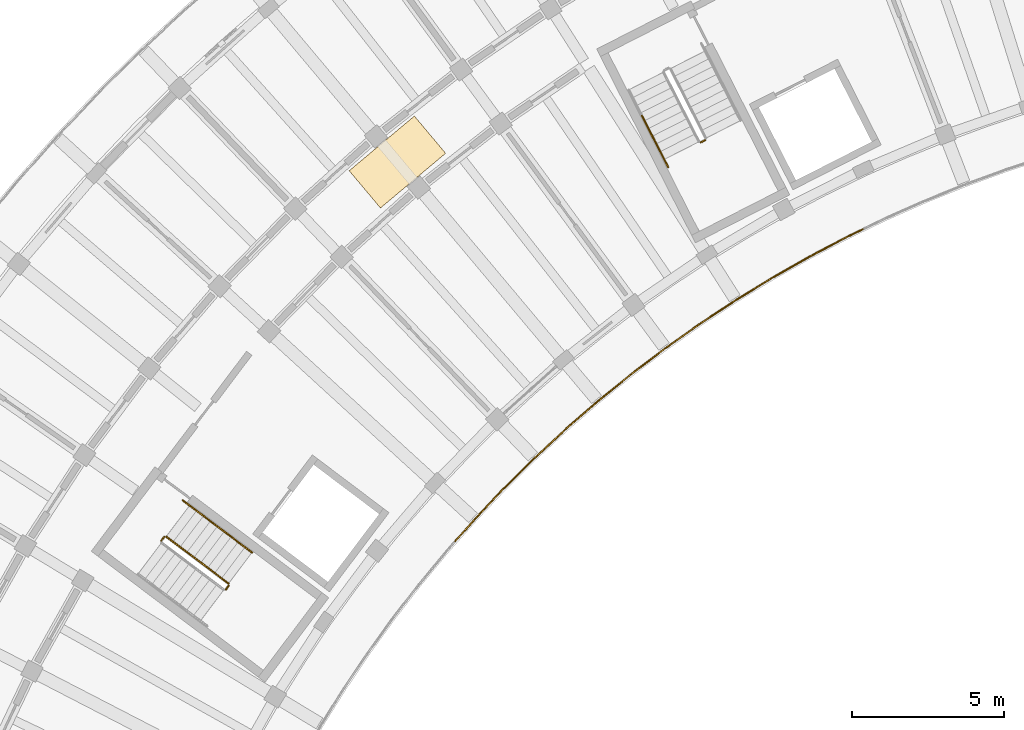
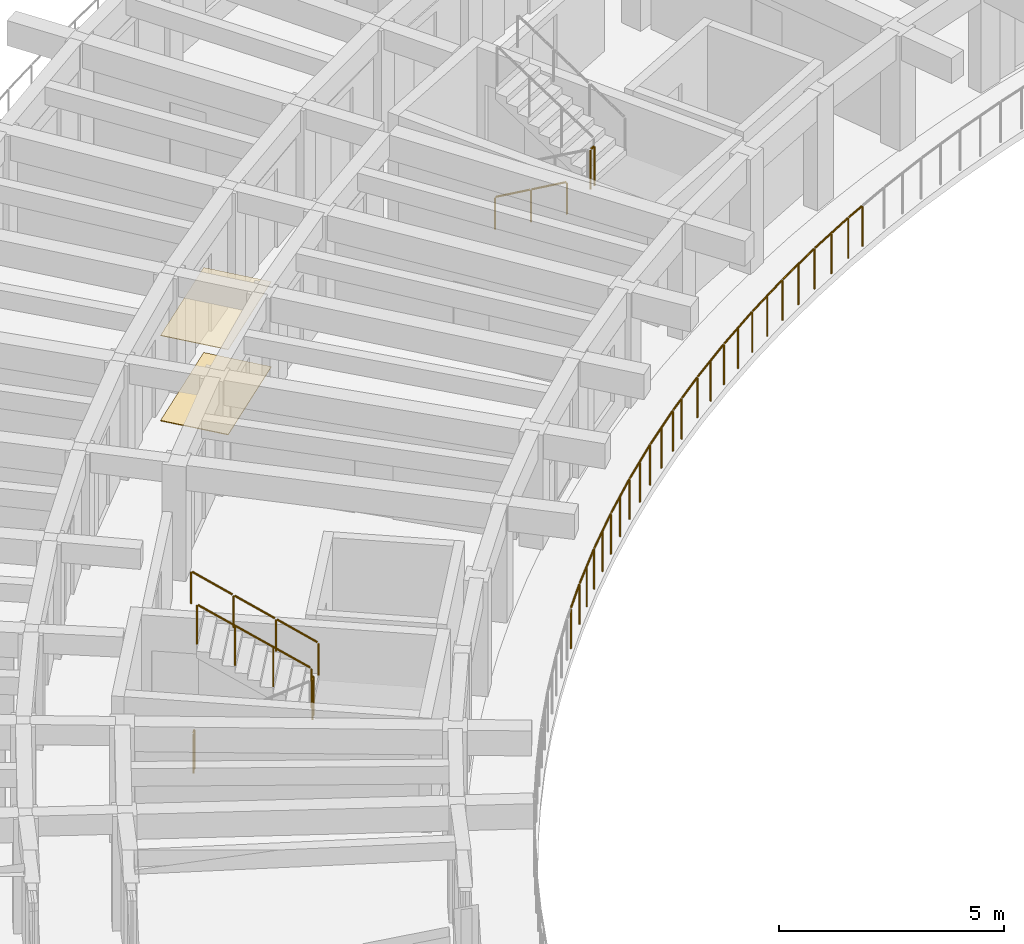
# One storey, part 67 of 78: 11 railings, 2 coverings.
"""IFC4 building model written with IfcOpenShell, lengths in metres."""

from ifc_helpers import new_model, si_unit, direction, frame, origin, origin_2d, place, context, subcontext, project, spatial, rectangle, circle, extrude, material, layer, layer_set, type_object, element, save


model = new_model("IFC4")

# Units and contexts
model_context = context("Model", 3, precision=1e-05, world=origin(), true_north=direction((0.0, 1.0)))
body_context = subcontext(model_context, "Body", "Model", "MODEL_VIEW")
ifc_project = project(units=[si_unit("LENGTHUNIT", "METRE"), si_unit("AREAUNIT", "SQUARE_METRE"), si_unit("VOLUMEUNIT", "CUBIC_METRE"), si_unit("PLANEANGLEUNIT", "RADIAN"), si_unit("MASSUNIT", "GRAM", prefix="KILO")], contexts=[model_context])

# Site, building, storey
site_placement = place(None, origin())
site = spatial("IfcSite", under=ifc_project, at=site_placement, CompositionType="ELEMENT")
building_placement = place(site_placement, origin())
building = spatial("IfcBuilding", under=site, at=building_placement, Name="Tanwirah Colonnade Gardens", CompositionType="ELEMENT")
storey_placement = place(building_placement, frame((0.0, 0.0, 22.280029296875)))
storey = spatial("IfcBuildingStorey", under=building, at=storey_placement, Name="L06", CompositionType="ELEMENT", Elevation=22.280029296875)

# Railings
ifc_material_1 = material(Name="Precast concrete C40/50", Category="concrete")
railing_type_1 = type_object("IfcRailingType", Name="BAL-EXT112", PredefinedType="BALUSTRADE", material=ifc_material_1)
railing_1_placement = place(storey_placement, frame((46.27880859375, 98.548583984375, 0.0)))
element("IfcRailing", 1, at=railing_1_placement, inside=storey, type_object=railing_type_1, Name="Block A L06 Balcony Ribbon Balustrade 3", PredefinedType="BALUSTRADE", context=body_context, shape_type="SweptSolid", body=[
    extrude(circle(Radius=0.02392578125, at=origin_2d()), frame((-0.028076171875, -0.013671875, 1.09619140625), z_axis=(-0.900252558568, -0.435368040619, 0.0), x_axis=(0.435368040619, -0.900252558568, 0.0)), (0.0, 0.0, 1.0), 0.5),
    extrude(circle(Radius=0.02392578125, at=origin_2d()), frame((-0.5361328125, -0.2607421875, 1.09619140625), z_axis=(-0.885204649416, -0.465201814972, 0.0), x_axis=(0.465201814972, -0.885204649416, 0.0)), (0.0, 0.0, 1.0), 1.341796875),
    extrude(circle(Radius=0.02392578125, at=origin_2d()), frame((-1.78125, -0.916015625, 1.09619140625), z_axis=(-0.869342839865, -0.494209496848, 0.0), x_axis=(0.494209496848, -0.869342839865, 0.0)), (0.0, 0.0, 1.0), 1.342041015625),
    extrude(circle(Radius=0.02392578125, at=origin_2d()), frame((-3.00390625, -1.6123046875, 1.09619140625), z_axis=(-0.852623736113, -0.522525372223, 0.0), x_axis=(0.522525372223, -0.852623736113, 0.0)), (0.0, 0.0, 1.0), 1.342041015625),
    extrude(circle(Radius=0.02392578125, at=origin_2d()), frame((-4.203125, -2.34814453125, 1.09619140625), z_axis=(-0.834927342507, -0.550360184547, 0.0), x_axis=(0.550360184547, -0.834927342507, 0.0)), (0.0, 0.0, 1.0), 1.341796875),
    extrude(circle(Radius=0.02392578125, at=origin_2d()), frame((-5.37744140625, -3.12353515625, 1.09619140625), z_axis=(-0.816321661452, -0.577597563226, 0.0), x_axis=(0.577597563226, -0.816321661452, 0.0)), (0.0, 0.0, 1.0), 1.341552734375),
    extrude(circle(Radius=0.02392578125, at=origin_2d()), frame((-6.525146484375, -3.936767578125, 1.09619140625), z_axis=(-0.796799330669, -0.604244012502, 0.0), x_axis=(0.604244012502, -0.796799330669, 0.0)), (0.0, 0.0, 1.0), 0.837646484375),
    extrude(circle(Radius=0.02099609375, at=origin_2d()), origin(), (0.0, 0.0, 1.0), 1.069091796875),
    extrude(circle(Radius=0.02099609375, at=origin_2d()), frame((-0.50634765625, -0.244873046875, 0.0)), (0.0, 0.0, 1.0), 1.069091796875),
    extrude(circle(Radius=0.02099609375, at=origin_2d()), frame((-1.130126953125, -0.57275390625, 0.0)), (0.0, 0.0, 1.0), 1.069091796875),
    extrude(circle(Radius=0.02099609375, at=origin_2d()), frame((-1.751708984375, -0.8994140625, 0.0)), (0.0, 0.0, 1.0), 1.069091796875),
    extrude(circle(Radius=0.02099609375, at=origin_2d()), frame((-2.36474609375, -1.24755859375, 0.0)), (0.0, 0.0, 1.0), 1.069091796875),
    extrude(circle(Radius=0.02099609375, at=origin_2d()), frame((-2.97509765625, -1.5947265625, 0.0)), (0.0, 0.0, 1.0), 1.069091796875),
    extrude(circle(Radius=0.02099609375, at=origin_2d()), frame((-3.576171875, -1.962890625, 0.0)), (0.0, 0.0, 1.0), 1.069091796875),
    extrude(circle(Radius=0.02099609375, at=origin_2d()), frame((-4.1748046875, -2.329833984375, 0.0)), (0.0, 0.0, 1.0), 1.069091796875),
    extrude(circle(Radius=0.02099609375, at=origin_2d()), frame((-4.76318359375, -2.717529296875, 0.0)), (0.0, 0.0, 1.0), 1.069091796875),
    extrude(circle(Radius=0.02099609375, at=origin_2d()), frame((-5.349609375, -3.10400390625, 0.0)), (0.0, 0.0, 1.0), 1.069091796875),
    extrude(circle(Radius=0.02099609375, at=origin_2d()), frame((-5.9248046875, -3.510986328125, 0.0)), (0.0, 0.0, 1.0), 1.069091796875),
    extrude(circle(Radius=0.02099609375, at=origin_2d()), frame((-6.498046875, -3.91650390625, 0.0)), (0.0, 0.0, 1.0), 1.069091796875),
    extrude(circle(Radius=0.02099609375, at=origin_2d()), frame((-7.217529296875, -4.4619140625, 0.0)), (0.0, 0.0, 1.0), 1.069091796875),
])
railing_2_placement = place(storey_placement, frame((39.061279296875, 94.086669921875, 0.0)))
element("IfcRailing", 2, at=railing_2_placement, inside=storey, type_object=railing_type_1, Name="Block A L06 Balcony Ribbon Balustrade 4", PredefinedType="BALUSTRADE", context=body_context, shape_type="SweptSolid", body=[
    extrude(circle(Radius=0.02392578125, at=origin_2d()), frame((-0.02490234375, -0.018798828125, 1.09619140625), z_axis=(-0.796852005176, -0.604174545845, 0.0), x_axis=(0.604174545845, -0.796852005176, 0.0)), (0.0, 0.0, 1.0), 0.44189453125),
    extrude(circle(Radius=0.02392578125, at=origin_2d()), frame((-0.427978515625, -0.325927734375, 1.09619140625), z_axis=(-0.776491375378, -0.630127879056, 0.0), x_axis=(0.630127879056, -0.776491375378, 0.0)), (0.0, 0.0, 1.0), 1.342041015625),
    extrude(circle(Radius=0.02392578125, at=origin_2d()), frame((-1.52001953125, -1.21337890625, 1.09619140625), z_axis=(-0.755402192857, -0.655261418845, 0.0), x_axis=(0.655261418845, -0.755402192857, 0.0)), (0.0, 0.0, 1.0), 1.341796875),
    extrude(circle(Radius=0.02392578125, at=origin_2d()), frame((-2.58203125, -2.135986328125, 1.09619140625), z_axis=(-0.73336899588, -0.679830799451, 0.0), x_axis=(0.679830799451, -0.73336899588, 0.0)), (0.0, 0.0, 1.0), 1.342041015625),
    extrude(circle(Radius=0.02392578125, at=origin_2d()), frame((-3.61328125, -3.09326171875, 1.09619140625), z_axis=(-0.710488556831, -0.703708754111, 0.0), x_axis=(0.703708754111, -0.710488556831, 0.0)), (0.0, 0.0, 1.0), 1.341796875),
    extrude(circle(Radius=0.02392578125, at=origin_2d()), frame((-4.612060546875, -4.084228515625, 1.09619140625), z_axis=(-0.687011382404, -0.726646654466, 0.0), x_axis=(0.726646654466, -0.687011382404, 0.0)), (0.0, 0.0, 1.0), 1.341796875),
    extrude(circle(Radius=0.02392578125, at=origin_2d()), frame((-5.577880859375, -5.107421875, 1.09619140625), z_axis=(-0.662590378068, -0.74898196967, 0.0), x_axis=(0.74898196967, -0.662590378068, 0.0)), (0.0, 0.0, 1.0), 0.8955078125),
    extrude(circle(Radius=0.02099609375, at=origin_2d()), origin(), (0.0, 0.0, 1.0), 1.069091796875),
    extrude(circle(Radius=0.02099609375, at=origin_2d()), frame((-0.40185546875, -0.3046875, 0.0)), (0.0, 0.0, 1.0), 1.069091796875),
    extrude(circle(Radius=0.02099609375, at=origin_2d()), frame((-0.94921875, -0.74853515625, 0.0)), (0.0, 0.0, 1.0), 1.069091796875),
    extrude(circle(Radius=0.02099609375, at=origin_2d()), frame((-1.494384765625, -1.191162109375, 0.0)), (0.0, 0.0, 1.0), 1.069091796875),
    extrude(circle(Radius=0.02099609375, at=origin_2d()), frame((-2.02685546875, -1.65283203125, 0.0)), (0.0, 0.0, 1.0), 1.069091796875),
    extrude(circle(Radius=0.02099609375, at=origin_2d()), frame((-2.55712890625, -2.113037109375, 0.0)), (0.0, 0.0, 1.0), 1.069091796875),
    extrude(circle(Radius=0.02099609375, at=origin_2d()), frame((-3.07421875, -2.59228515625, 0.0)), (0.0, 0.0, 1.0), 1.069091796875),
    extrude(circle(Radius=0.02099609375, at=origin_2d()), frame((-3.589111328125, -3.069580078125, 0.0)), (0.0, 0.0, 1.0), 1.069091796875),
    extrude(circle(Radius=0.02099609375, at=origin_2d()), frame((-4.08984375, -3.5654296875, 0.0)), (0.0, 0.0, 1.0), 1.069091796875),
    extrude(circle(Radius=0.02099609375, at=origin_2d()), frame((-4.5888671875, -4.0595703125, 0.0)), (0.0, 0.0, 1.0), 1.069091796875),
    extrude(circle(Radius=0.02099609375, at=origin_2d()), frame((-5.072998046875, -4.57177734375, 0.0)), (0.0, 0.0, 1.0), 1.069091796875),
    extrude(circle(Radius=0.02099609375, at=origin_2d()), frame((-5.555419921875, -5.08203125, 0.0)), (0.0, 0.0, 1.0), 1.069091796875),
    extrude(circle(Radius=0.02099609375, at=origin_2d()), frame((-6.19189453125, -5.801513671875, 0.0)), (0.0, 0.0, 1.0), 1.069091796875),
])

# Coverings
ifc_material_2 = material(Name="Acoustic perforated gypsum ceiling board")
ifc_layer_1 = layer(ifc_material_2, 0.014892578125)
ifc_layer_set_1 = layer_set([ifc_layer_1], Name="Acoustic perforated gypsum ceiling board")
covering_type_1 = type_object("IfcCoveringType", Name="COV-CEIL15", PredefinedType="CEILING", material=ifc_layer_set_1)
covering_1_placement = place(storey_placement, frame((30.96435546875, 100.761962890625, 2.3125), z_axis=(0.0, 0.0, 1.0), x_axis=(-0.766044443119, -0.642787609687, 0.0)))
element("IfcCovering", 3, at=covering_1_placement, inside=storey, type_object=covering_type_1, Name="Block A L06 Corridor Acoustic Ceiling", PredefinedType="CEILING", context=body_context, shape_type="SweptSolid", body=[
    extrude(rectangle(XDim=2.800048828125, YDim=1.60009765625, at=origin_2d()), origin(), (0.0, 0.0, 1.0), 0.014892578125),
])
ifc_material_3 = material(Name="Honed Abu Dhabi limestone terrazzo flooring", Category="masonry")
ifc_layer_2 = layer(ifc_material_3, 0.02001953125)
ifc_layer_set_2 = layer_set([ifc_layer_2], Name="Honed Abu Dhabi limestone terrazzo flooring")
covering_type_2 = type_object("IfcCoveringType", Name="COV-FLR20", PredefinedType="FLOORING", material=ifc_layer_set_2)
covering_2_placement = place(storey_placement, frame((30.96435546875, 100.761962890625, 0.0), z_axis=(0.0, 0.0, 1.0), x_axis=(-0.766044443119, -0.642787609687, 0.0)))
element("IfcCovering", 4, at=covering_2_placement, inside=storey, type_object=covering_type_2, Name="Block A L06 Corridor Terrazzo Flooring", PredefinedType="FLOORING", context=body_context, shape_type="SweptSolid", body=[
    extrude(rectangle(XDim=2.800048828125, YDim=1.60009765625, at=origin_2d()), origin(), (0.0, 0.0, 1.0), 0.02001953125),
])

# Railings
ifc_material_4 = material(Name="Powder-coated galvanized steel", Category="steel")
railing_type_2 = type_object("IfcRailingType", Name="GRD-ST110", PredefinedType="GUARDRAIL", material=ifc_material_4)
railing_3_placement = place(storey_placement, frame((40.95068359375, 101.408203125, 1.679931640625)))
element("IfcRailing", 5, at=railing_3_placement, inside=storey, type_object=railing_type_2, Name="L06 ST-A1 stair guard 2", PredefinedType="GUARDRAIL", context=body_context, shape_type="SweptSolid", body=[
    extrude(circle(Radius=0.02392578125, at=origin_2d()), frame((0.02783203125, 0.01416015625, 1.076171875), z_axis=(0.89073666619, 0.4545197372, 0.0), x_axis=(-0.4545197372, 0.89073666619, 0.0)), (0.0, 0.0, 1.0), 0.09765625),
    extrude(circle(Radius=0.02099609375, at=origin_2d()), origin(), (0.0, 0.0, 1.0), 1.049072265625),
    extrude(circle(Radius=0.02099609375, at=origin_2d()), frame((0.142578125, 0.07275390625, 0.0)), (0.0, 0.0, 1.0), 1.049072265625),
])
railing_4_placement = place(storey_placement, frame((25.320068359375, 86.695068359375, 1.679931640625)))
element("IfcRailing", 6, at=railing_4_placement, inside=storey, type_object=railing_type_2, Name="L06 ST-A2 stair guard 2", PredefinedType="GUARDRAIL", context=body_context, shape_type="SweptSolid", body=[
    extrude(circle(Radius=0.02392578125, at=origin_2d()), frame((0.018798828125, 0.02490234375, 1.076171875), z_axis=(0.600975757569, 0.799267251183, 0.0), x_axis=(-0.799267251183, 0.600975757569, 0.0)), (0.0, 0.0, 1.0), 0.09765625),
    extrude(circle(Radius=0.02099609375, at=origin_2d()), origin(), (0.0, 0.0, 1.0), 1.049072265625),
    extrude(circle(Radius=0.02099609375, at=origin_2d()), frame((0.09619140625, 0.1279296875, 0.0)), (0.0, 0.0, 1.0), 1.049072265625),
])
railing_5_placement = place(storey_placement, frame((25.406494140625, 86.89306640625, 1.847900390625)))
element("IfcRailing", 7, at=railing_5_placement, inside=storey, type_object=railing_type_2, Name="L06 ST-A2 stair guard 3", PredefinedType="GUARDRAIL", context=body_context, shape_type="SweptSolid", body=[
    extrude(circle(Radius=0.02392578125, at=origin_2d()), frame((-0.021484375, 0.01611328125, 1.092041015625), z_axis=(-0.688041610417, 0.518388637952, 0.507810951414), x_axis=(-0.60174993816, -0.798684550949, 0.0)), (0.0, 0.0, 1.0), 2.914794921875),
    extrude(circle(Radius=0.02099609375, at=origin_2d()), origin(), (0.0, 0.0, 1.0), 1.049072265625),
    extrude(circle(Radius=0.02099609375, at=origin_2d()), frame((-0.682861328125, 0.514404296875, 0.50390625)), (0.0, 0.0, 1.0), 1.049072265625),
    extrude(circle(Radius=0.02099609375, at=origin_2d()), frame((-1.36572265625, 1.029052734375, 1.008056640625)), (0.0, 0.0, 1.0), 1.049072265625),
    extrude(circle(Radius=0.02099609375, at=origin_2d()), frame((-2.048583984375, 1.54345703125, 1.511962890625)), (0.0, 0.0, 1.0), 1.049072265625),
])
railing_6_placement = place(storey_placement, frame((23.191650390625, 88.299072265625, 0.0)))
element("IfcRailing", 8, at=railing_6_placement, inside=storey, type_object=railing_type_2, Name="L06 ST-A2 stair guard 4", PredefinedType="GUARDRAIL", context=body_context, shape_type="SweptSolid", body=[
    extrude(circle(Radius=0.02392578125, at=origin_2d()), frame((0.018798828125, 0.02490234375, 1.076171875), z_axis=(0.602681987584, 0.797981467104, 0.0), x_axis=(-0.797981467104, 0.602681987584, 0.0)), (0.0, 0.0, 1.0), 0.097412109375),
    extrude(circle(Radius=0.02099609375, at=origin_2d()), origin(), (0.0, 0.0, 1.0), 1.049072265625),
    extrude(circle(Radius=0.02099609375, at=origin_2d()), frame((0.096435546875, 0.127685546875, 0.0)), (0.0, 0.0, 1.0), 1.049072265625),
])
ifc_material_5 = material(Name="Brushed bronze stainless steel", Category="steel")
railing_type_3 = type_object("IfcRailingType", Name="HR-ST090", PredefinedType="HANDRAIL", material=ifc_material_5)
railing_7_placement = place(storey_placement, frame((39.009765625, 102.287841796875, 0.73388671875)))
element("IfcRailing", 9, at=railing_7_placement, inside=storey, type_object=railing_type_3, Name="L06 ST-A1 stair handrail 2", PredefinedType="HANDRAIL", context=body_context, shape_type="SweptSolid", body=[
    extrude(circle(Radius=0.02392578125, at=origin_2d()), frame((0.01220703125, -0.02392578125, 0.891845703125), z_axis=(0.389886268615, -0.765422249879, 0.511974097915), x_axis=(0.891061070925, 0.453883429839, 0.0)), (0.0, 0.0, 1.0), 1.043212890625),
    extrude(circle(Radius=0.02099609375, at=origin_2d()), origin(), (0.0, 0.0, 1.0), 0.848876953125),
    extrude(circle(Radius=0.02099609375, at=origin_2d()), frame((0.43115234375, -0.846435546875, 0.566162109375)), (0.0, 0.0, 1.0), 0.848876953125),
])
railing_8_placement = place(storey_placement, frame((39.44091796875, 101.44140625, 1.300048828125)))
element("IfcRailing", 10, at=railing_8_placement, inside=storey, type_object=railing_type_3, Name="L06 ST-A1 stair handrail 3", PredefinedType="HANDRAIL", context=body_context, shape_type="SweptSolid", body=[
    extrude(circle(Radius=0.02392578125, at=origin_2d()), frame((0.01220703125, -0.02392578125, 0.891845703125), z_axis=(0.390117538533, -0.765442844423, 0.51176709356), x_axis=(0.890957114254, 0.454087459154, 0.0)), (0.0, 0.0, 1.0), 1.043212890625),
    extrude(circle(Radius=0.02099609375, at=origin_2d()), origin(), (0.0, 0.0, 1.0), 0.848876953125),
    extrude(circle(Radius=0.02099609375, at=origin_2d()), frame((0.431396484375, -0.846435546875, 0.56591796875)), (0.0, 0.0, 1.0), 0.848876953125),
])
railing_9_placement = place(storey_placement, frame((26.1767578125, 87.915283203125, 1.847900390625)))
element("IfcRailing", 11, at=railing_9_placement, inside=storey, type_object=railing_type_3, Name="L06 ST-A2 stair handrail 4", PredefinedType="HANDRAIL", context=body_context, shape_type="SweptSolid", body=[
    extrude(circle(Radius=0.02392578125, at=origin_2d()), frame((-0.021484375, 0.01611328125, 0.891845703125), z_axis=(-0.685950957095, 0.517057335538, 0.511979488092), x_axis=(-0.601931007785, -0.798548096152, 0.0)), (0.0, 0.0, 1.0), 1.043212890625),
    extrude(circle(Radius=0.02099609375, at=origin_2d()), origin(), (0.0, 0.0, 1.0), 0.848876953125),
    extrude(circle(Radius=0.02099609375, at=origin_2d()), frame((-0.758544921875, 0.57177734375, 0.566162109375)), (0.0, 0.0, 1.0), 0.848876953125),
])
railing_10_placement = place(storey_placement, frame((25.418212890625, 88.487060546875, 2.4140625)))
element("IfcRailing", 12, at=railing_10_placement, inside=storey, type_object=railing_type_3, Name="L06 ST-A2 stair handrail 5", PredefinedType="HANDRAIL", context=body_context, shape_type="SweptSolid", body=[
    extrude(circle(Radius=0.02392578125, at=origin_2d()), frame((-0.021484375, 0.01611328125, 0.891845703125), z_axis=(-0.686223662955, 0.51687567406, 0.51179744232), x_axis=(-0.601643549736, -0.798764695677, 0.0)), (0.0, 0.0, 1.0), 1.043212890625),
    extrude(circle(Radius=0.02099609375, at=origin_2d()), origin(), (0.0, 0.0, 1.0), 0.848876953125),
    extrude(circle(Radius=0.02099609375, at=origin_2d()), frame((-0.7587890625, 0.571533203125, 0.56591796875)), (0.0, 0.0, 1.0), 0.848876953125),
])
railing_11_placement = place(storey_placement, frame((24.659423828125, 89.05859375, 2.97998046875)))
element("IfcRailing", 13, at=railing_11_placement, inside=storey, type_object=railing_type_3, Name="L06 ST-A2 stair handrail 6", PredefinedType="HANDRAIL", context=body_context, shape_type="SweptSolid", body=[
    extrude(circle(Radius=0.02392578125, at=origin_2d()), frame((-0.021484375, 0.01611328125, 0.891845703125), z_axis=(-0.686145346169, 0.517037451972, 0.51173903231), x_axis=(-0.601807485929, -0.798641189696, 0.0)), (0.0, 0.0, 1.0), 1.04345703125),
    extrude(circle(Radius=0.02099609375, at=origin_2d()), origin(), (0.0, 0.0, 1.0), 0.848876953125),
    extrude(circle(Radius=0.02099609375, at=origin_2d()), frame((-0.7587890625, 0.57177734375, 0.56591796875)), (0.0, 0.0, 1.0), 0.848876953125),
])

save(model, "model.ifc")
